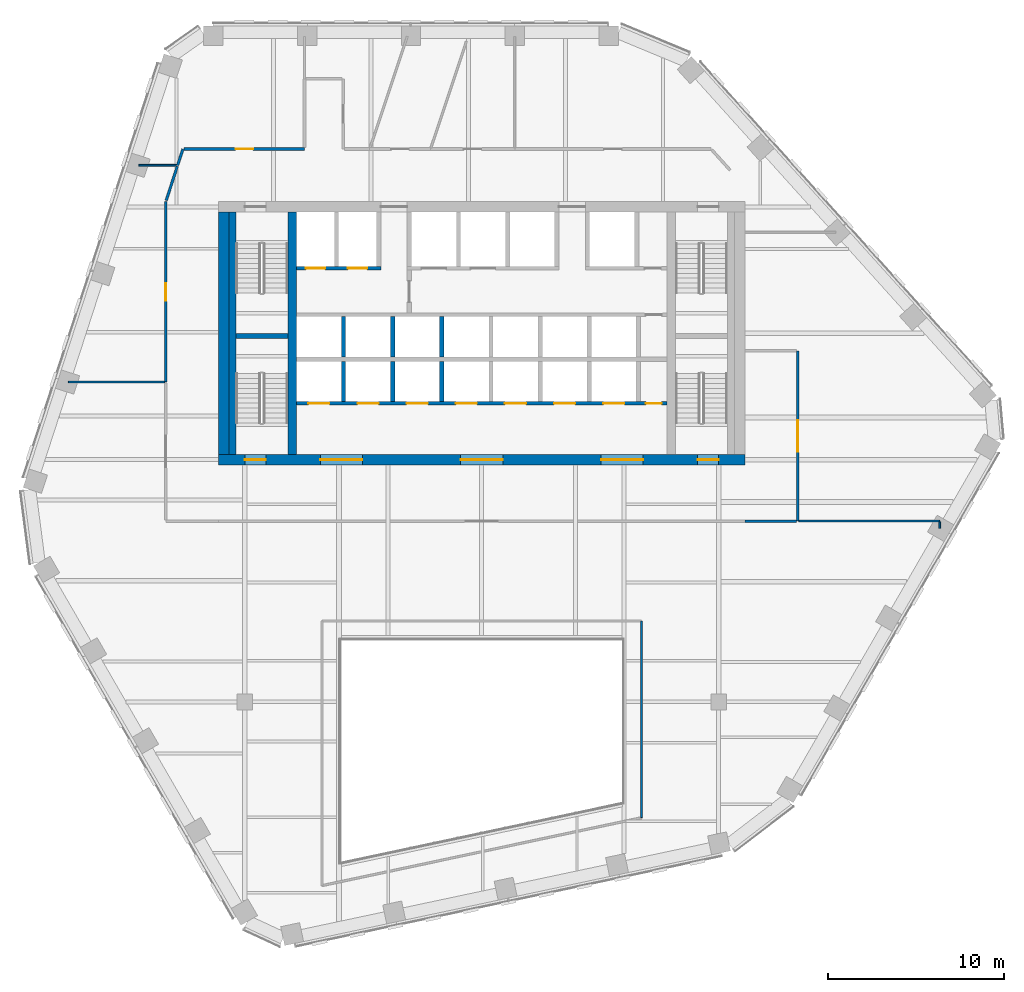
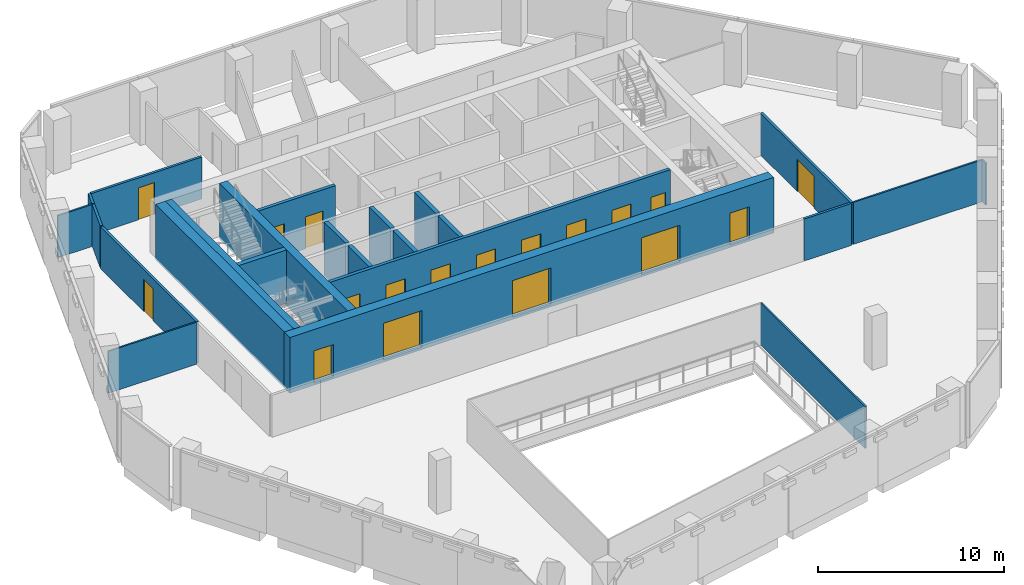
# One storey, part 9 of 16: 24 walls, 18 doors, 18 openings.
"""IFC4 building model written with IfcOpenShell, lengths in metres."""

from ifc_helpers import new_model, si_unit, direction, frame, frame_2d, origin, place, context, subcontext, project, spatial, rectangle, extrude, material, layer, layer_set, type_object, element, fill, save


model = new_model("IFC4")

# Units and contexts
model_context = context("Model", 3, precision=1e-05, world=origin(), true_north=direction((0.0, 1.0)))
body_context = subcontext(model_context, "Body", "Model", "MODEL_VIEW")
ifc_project = project(units=[si_unit("LENGTHUNIT", "METRE"), si_unit("AREAUNIT", "SQUARE_METRE"), si_unit("VOLUMEUNIT", "CUBIC_METRE"), si_unit("PLANEANGLEUNIT", "RADIAN"), si_unit("MASSUNIT", "GRAM", prefix="KILO")], contexts=[model_context])

# Site, building, storey
site_placement = place(None, origin())
site = spatial("IfcSite", under=ifc_project, at=site_placement, CompositionType="ELEMENT")
building_placement = place(site_placement, origin())
building = spatial("IfcBuilding", under=site, at=building_placement, Name="Isthmus Gate Tower", CompositionType="ELEMENT")
storey_placement = place(building_placement, frame((0.0, 0.0, 216.300048828125)))
storey = spatial("IfcBuildingStorey", under=building, at=storey_placement, Name="L54", CompositionType="ELEMENT", Elevation=216.300048828125)

# Wall
ifc_material_1 = material(Name="Fire-rated laminated glass in steel frame", Category="steel")
ifc_layer_1 = layer(ifc_material_1, 0.10009765625)
ifc_layer_set_1 = layer_set([ifc_layer_1], Name="ATRIUM SCREEN GLAZED WALL 100 120 MIN")
wall_type_1 = type_object("IfcWallType", Name="ATRIUM SCREEN GLAZED WALL 100 120 MIN", PredefinedType="PARTITIONING", material=ifc_layer_set_1)
wall_1_placement = place(storey_placement, frame((9.10009765625, -8.89990234375, 0.0), z_axis=(0.0, 0.0, 1.0), x_axis=(0.0, -1.0, 0.0)))
element("IfcWall", 1, at=wall_1_placement, inside=storey, type_object=wall_type_1, Name="L54 atrium screen", PredefinedType="PARTITIONING", context=body_context, shape_type="SweptSolid", body=[
    extrude(rectangle(XDim=11.200927734375, YDim=0.10009765625, at=frame_2d((5.6005859375, 0.0))), origin(), (0.0, 0.0, 1.0), 2.750732421875),
])

# Wall, opening, door
ifc_material_2 = material(Name="Gypsum board on steel studs, fire-rated", Category="steel")
ifc_layer_2 = layer(ifc_material_2, 0.14990234375)
ifc_layer_set_2 = layer_set([ifc_layer_2], Name="CORRIDOR WALL 150 60 MIN")
wall_type_2 = type_object("IfcWallType", Name="CORRIDOR WALL 150 60 MIN", PredefinedType="PARTITIONING", material=ifc_layer_set_2)
wall_2_placement = place(storey_placement, frame((18.0, 6.5, 0.0), z_axis=(0.0, 0.0, 1.0), x_axis=(0.0, -1.0, 0.0)))
wall_2 = element("IfcWall", 2, at=wall_2_placement, inside=storey, type_object=wall_type_2, Name="L54 Corridor Wall 150 60 Min", PredefinedType="PARTITIONING", context=body_context, shape_type="SweptSolid", body=[
    extrude(rectangle(XDim=9.699951171875, YDim=0.14990234375, at=frame_2d((4.85009765625, 0.0))), origin(), (0.0, 0.0, 1.0), 2.750732421875),
])
opening_1_placement = place(wall_2_placement, frame((3.949951171875, 0.0, 0.0)))
opening_1 = element("IfcOpeningElement", 3, at=opening_1_placement, cuts=wall_2, Name="Opening DT-T5A-04", PredefinedType="OPENING", context=body_context, shape_type="SweptSolid", body=[
    extrude(rectangle(XDim=1.800048828125, YDim=2.10009765625, at=frame_2d((0.89990234375, 1.050048828125))), frame((0.0, 0.0849609375, 0.0), z_axis=(0.0, -1.0, 0.0), x_axis=(1.0, 0.0, 0.0)), (0.0, 0.0, 1.0), 0.169921875),
])
ifc_material_3 = material(Name="Solid core timber door leaf, fire-rated", Category="wood")
door_type_1 = type_object("IfcDoorType", Name="FIRE DOOR ROOM 1800 X 2100 60 MIN", OperationType="DOUBLE_DOOR_DOUBLE_SWING", PredefinedType="DOOR", material=ifc_material_3)
door_1_placement = place(opening_1_placement, origin())
door_1 = element("IfcDoor", 4, at=door_1_placement, inside=storey, type_object=door_type_1, Name="L54 room door", OperationType="DOUBLE_DOOR_DOUBLE_SWING", OverallHeight=2.10009765625, OverallWidth=1.800048828125, PredefinedType="DOOR", context=body_context, shape_type="SweptSolid", body=[
    extrude(rectangle(XDim=1.800048828125, YDim=2.10009765625, at=frame_2d((0.89990234375, 1.050048828125))), frame((0.0, 0.02490234375, 0.0), z_axis=(0.0, -1.0, 0.0), x_axis=(1.0, 0.0, 0.0)), (0.0, 0.0, 1.0), 0.050048828125),
])
fill(opening_1, door_1)

# Walls
wall_3_placement = place(storey_placement, frame((17.925048828125, -3.199951171875, 0.0), z_axis=(0.0, 0.0, 1.0), x_axis=(-1.0, 0.0, 0.0)))
element("IfcWall", 5, at=wall_3_placement, inside=storey, type_object=wall_type_2, Name="L54 Corridor Wall 150 60 Min", PredefinedType="PARTITIONING", context=body_context, shape_type="SweptSolid", body=[
    extrude(rectangle(XDim=2.925048828125, YDim=0.14990234375, at=frame_2d((1.46240234375, 0.0))), origin(), (0.0, 0.0, 1.0), 2.750732421875),
])
wall_4_placement = place(storey_placement, frame((-17.326904296875, 17.071044921875, 0.0), z_axis=(0.0, 0.0, 1.0), x_axis=(0.309170843074, 0.951006514064, 0.0)))
element("IfcWall", 6, at=wall_4_placement, inside=storey, type_object=wall_type_2, Name="L54 Corridor Wall 150 60 Min", PredefinedType="PARTITIONING", context=body_context, shape_type="SweptSolid", body=[
    extrude(rectangle(XDim=0.976806640625, YDim=0.14990234375, at=frame_2d((0.48828125, 0.0))), origin(), (0.0, 0.0, 1.0), 2.750732421875),
])

# Wall, opening, door
wall_5_placement = place(storey_placement, frame((-16.949951171875, 18.0, 0.0), z_axis=(0.0, 0.0, 1.0), x_axis=(1.0, 0.0, 0.0)))
wall_5 = element("IfcWall", 7, at=wall_5_placement, inside=storey, type_object=wall_type_2, Name="L54 Corridor Wall 150 60 Min", PredefinedType="PARTITIONING", context=body_context, shape_type="SweptSolid", body=[
    extrude(rectangle(XDim=6.849853515625, YDim=0.14990234375, at=frame_2d((3.4248046875, 0.0))), origin(), (0.0, 0.0, 1.0), 2.750732421875),
])
opening_2_placement = place(wall_5_placement, frame((2.925048828125, 0.0, 0.0)))
opening_2 = element("IfcOpeningElement", 8, at=opening_2_placement, cuts=wall_5, Name="Opening DT-T5A-01", PredefinedType="OPENING", context=body_context, shape_type="SweptSolid", body=[
    extrude(rectangle(XDim=1.0, YDim=2.10009765625, at=frame_2d((0.5, 1.050048828125))), frame((0.0, 0.0849609375, 0.0), z_axis=(0.0, -1.0, 0.0), x_axis=(1.0, 0.0, 0.0)), (0.0, 0.0, 1.0), 0.169921875),
])
ifc_material_4 = material(Name="Solid core timber door leaf, fire-rated", Category="wood")
door_type_2 = type_object("IfcDoorType", Name="FIRE DOOR ROOM 1000 X 2100 60 MIN", OperationType="SINGLE_SWING_LEFT", PredefinedType="DOOR", material=ifc_material_4)
door_2_placement = place(opening_2_placement, origin())
door_2 = element("IfcDoor", 9, at=door_2_placement, inside=storey, type_object=door_type_2, Name="L54 room door", OperationType="SINGLE_SWING_RIGHT", OverallHeight=2.10009765625, OverallWidth=1.0, PredefinedType="DOOR", context=body_context, shape_type="SweptSolid", body=[
    extrude(rectangle(XDim=1.0, YDim=2.10009765625, at=frame_2d((0.5, 1.050048828125))), frame((0.0, 0.02490234375, 0.0), z_axis=(0.0, -1.0, 0.0), x_axis=(1.0, 0.0, 0.0)), (0.0, 0.0, 1.0), 0.050048828125),
])
fill(opening_2, door_2)

wall_6_placement = place(storey_placement, frame((-18.0, 4.722900390625, 0.0), z_axis=(0.0, 0.0, 1.0), x_axis=(0.0, 1.0, 0.0)))
wall_6 = element("IfcWall", 10, at=wall_6_placement, inside=storey, type_object=wall_type_2, Name="L54 Corridor Wall 150 60 Min", PredefinedType="PARTITIONING", context=body_context, shape_type="SweptSolid", body=[
    extrude(rectangle(XDim=10.275146484375, YDim=0.14990234375, at=frame_2d((5.1376953125, 0.0))), origin(), (0.0, 0.0, 1.0), 2.750732421875),
])
opening_3_placement = place(wall_6_placement, frame((4.637451171875, 0.0, 0.0)))
opening_3 = element("IfcOpeningElement", 11, at=opening_3_placement, cuts=wall_6, Name="Opening DT-T5A-03", PredefinedType="OPENING", context=body_context, shape_type="SweptSolid", body=[
    extrude(rectangle(XDim=1.0, YDim=2.10009765625, at=frame_2d((0.5, 1.050048828125))), frame((0.0, 0.0849609375, 0.0), z_axis=(0.0, -1.0, 0.0), x_axis=(1.0, 0.0, 0.0)), (0.0, 0.0, 1.0), 0.169921875),
])
door_3_placement = place(opening_3_placement, origin())
door_3 = element("IfcDoor", 12, at=door_3_placement, inside=storey, type_object=door_type_2, Name="L54 room door", OperationType="SINGLE_SWING_RIGHT", OverallHeight=2.10009765625, OverallWidth=1.0, PredefinedType="DOOR", context=body_context, shape_type="SweptSolid", body=[
    extrude(rectangle(XDim=1.0, YDim=2.10009765625, at=frame_2d((0.5, 1.050048828125))), frame((0.0, 0.02490234375, 0.0), z_axis=(0.0, -1.0, 0.0), x_axis=(1.0, 0.0, 0.0)), (0.0, 0.0, 1.0), 0.050048828125),
])
fill(opening_3, door_3)

# Walls
wall_7_placement = place(storey_placement, frame((-17.976806640625, 15.0693359375, 0.0), z_axis=(0.0, 0.0, 1.0), x_axis=(0.308838863498, 0.951114376084, 0.0)))
element("IfcWall", 13, at=wall_7_placement, inside=storey, type_object=wall_type_2, Name="L54 Corridor Wall 150 60 Min", PredefinedType="PARTITIONING", context=body_context, shape_type="SweptSolid", body=[
    extrude(rectangle(XDim=2.054443359375, YDim=0.14990234375, at=frame_2d((1.02734375, 0.0))), origin(), (0.0, 0.0, 1.0), 2.750732421875),
])
ifc_material_5 = material(Name="Concrete f'c 50 MPa", Category="concrete")
ifc_layer_3 = layer(ifc_material_5, 0.5)
ifc_layer_set_3 = layer_set([ifc_layer_3], Name="RC CORE SPINE WALL 500 F'C 50")
wall_type_3 = type_object("IfcWallType", Name="RC CORE SPINE WALL 500 F'C 50", PredefinedType="SOLIDWALL", material=ifc_layer_set_3)
wall_8_placement = place(storey_placement, frame((-10.800048828125, 0.60009765625, -0.150146484375), z_axis=(0.0, 0.0, 1.0), x_axis=(0.0, 1.0, 0.0)))
element("IfcWall", 14, at=wall_8_placement, inside=storey, type_object=wall_type_3, Name="str-corewall-L54-SPW", PredefinedType="SOLIDWALL", context=body_context, shape_type="SweptSolid", body=[
    extrude(rectangle(XDim=13.7998046875, YDim=0.5, at=frame_2d((6.89990234375, 0.0))), origin(), (0.0, 0.0, 1.0), 3.650146484375),
])

# Wall, openings, doors
ifc_material_6 = material(Name="Concrete f'c 50 MPa", Category="concrete")
ifc_layer_4 = layer(ifc_material_6, 0.60009765625)
ifc_layer_set_4 = layer_set([ifc_layer_4], Name="RC CORE WALL 600 F'C 50")
wall_type_4 = type_object("IfcWallType", Name="RC CORE WALL 600 F'C 50", PredefinedType="SOLIDWALL", material=ifc_layer_set_4)
wall_9_placement = place(storey_placement, frame((-15.0, 0.300048828125, -0.150146484375), z_axis=(0.0, 0.0, 1.0), x_axis=(1.0, 0.0, 0.0)))
wall_9 = element("IfcWall", 15, at=wall_9_placement, inside=storey, type_object=wall_type_4, Name="str-corewall-L54-S", PredefinedType="SOLIDWALL", context=body_context, shape_type="SweptSolid", body=[
    extrude(rectangle(XDim=30.0, YDim=0.60009765625, at=frame_2d((15.0, 0.0))), origin(), (0.0, 0.0, 1.0), 3.650146484375),
])
opening_4_placement = place(wall_9_placement, frame((5.800048828125, 0.0, 0.14990234375)))
opening_4 = element("IfcOpeningElement", 16, at=opening_4_placement, cuts=wall_9, Name="Opening DC-A16-05", PredefinedType="OPENING", context=body_context, shape_type="SweptSolid", body=[
    extrude(rectangle(XDim=2.39990234375, YDim=2.39990234375, at=frame_2d((1.199951171875, 1.199951171875))), frame((0.0, 0.31005859375, 0.0), z_axis=(0.0, -1.0, 0.0), x_axis=(1.0, 0.0, 0.0)), (0.0, 0.0, 1.0), 0.6201171875),
])
opening_5_placement = place(wall_9_placement, frame((13.800048828125, 0.0, 0.14990234375)))
opening_5 = element("IfcOpeningElement", 17, at=opening_5_placement, cuts=wall_9, Name="Opening DC-A16-06", PredefinedType="OPENING", context=body_context, shape_type="SweptSolid", body=[
    extrude(rectangle(XDim=2.39990234375, YDim=2.39990234375, at=frame_2d((1.199951171875, 1.199951171875))), frame((0.0, 0.31005859375, 0.0), z_axis=(0.0, -1.0, 0.0), x_axis=(1.0, 0.0, 0.0)), (0.0, 0.0, 1.0), 0.6201171875),
])
opening_6_placement = place(wall_9_placement, frame((21.800048828125, 0.0, 0.14990234375)))
opening_6 = element("IfcOpeningElement", 18, at=opening_6_placement, cuts=wall_9, Name="Opening DC-A16-07", PredefinedType="OPENING", context=body_context, shape_type="SweptSolid", body=[
    extrude(rectangle(XDim=2.39990234375, YDim=2.39990234375, at=frame_2d((1.199951171875, 1.199951171875))), frame((0.0, 0.31005859375, 0.0), z_axis=(0.0, -1.0, 0.0), x_axis=(1.0, 0.0, 0.0)), (0.0, 0.0, 1.0), 0.6201171875),
])
opening_7_placement = place(wall_9_placement, frame((1.5, 0.0, 0.14990234375)))
opening_7 = element("IfcOpeningElement", 19, at=opening_7_placement, cuts=wall_9, Name="Opening DC-A16-12", PredefinedType="OPENING", context=body_context, shape_type="SweptSolid", body=[
    extrude(rectangle(XDim=1.199951171875, YDim=2.10009765625, at=frame_2d((0.60009765625, 1.050048828125))), frame((0.0, 0.31005859375, 0.0), z_axis=(0.0, -1.0, 0.0), x_axis=(1.0, 0.0, 0.0)), (0.0, 0.0, 1.0), 0.6201171875),
])
opening_8_placement = place(wall_9_placement, frame((27.300048828125, 0.0, 0.14990234375)))
opening_8 = element("IfcOpeningElement", 20, at=opening_8_placement, cuts=wall_9, Name="Opening DC-A16-13", PredefinedType="OPENING", context=body_context, shape_type="SweptSolid", body=[
    extrude(rectangle(XDim=1.199951171875, YDim=2.10009765625, at=frame_2d((0.60009765625, 1.050048828125))), frame((0.0, 0.31005859375, 0.0), z_axis=(0.0, -1.0, 0.0), x_axis=(1.0, 0.0, 0.0)), (0.0, 0.0, 1.0), 0.6201171875),
])
ifc_material_7 = material(Name="Laminated safety glass in steel frame, fire-rated", Category="steel")
door_type_3 = type_object("IfcDoorType", Name="LOBBY ENTRANCE FIRE DOOR 2400 X 2400 60 MIN", OperationType="DOUBLE_DOOR_DOUBLE_SWING", PredefinedType="DOOR", material=ifc_material_7)
door_4_placement = place(opening_4_placement, origin())
door_4 = element("IfcDoor", 21, at=door_4_placement, inside=storey, type_object=door_type_3, Name="Lobby Entrance PS-W", OperationType="DOUBLE_DOOR_DOUBLE_SWING", OverallHeight=2.39990234375, OverallWidth=2.39990234375, PredefinedType="DOOR", context=body_context, shape_type="SweptSolid", body=[
    extrude(rectangle(XDim=2.39990234375, YDim=2.39990234375, at=frame_2d((1.199951171875, 1.199951171875))), frame((0.0, 0.02490234375, 0.0), z_axis=(0.0, -1.0, 0.0), x_axis=(1.0, 0.0, 0.0)), (0.0, 0.0, 1.0), 0.050048828125),
])
fill(opening_4, door_4)
door_5_placement = place(opening_5_placement, origin())
door_5 = element("IfcDoor", 22, at=door_5_placement, inside=storey, type_object=door_type_3, Name="Lobby Entrance PS-C", OperationType="DOUBLE_DOOR_DOUBLE_SWING", OverallHeight=2.39990234375, OverallWidth=2.39990234375, PredefinedType="DOOR", context=body_context, shape_type="SweptSolid", body=[
    extrude(rectangle(XDim=2.39990234375, YDim=2.39990234375, at=frame_2d((1.199951171875, 1.199951171875))), frame((0.0, 0.02490234375, 0.0), z_axis=(0.0, -1.0, 0.0), x_axis=(1.0, 0.0, 0.0)), (0.0, 0.0, 1.0), 0.050048828125),
])
fill(opening_5, door_5)
door_6_placement = place(opening_6_placement, origin())
door_6 = element("IfcDoor", 23, at=door_6_placement, inside=storey, type_object=door_type_3, Name="Lobby Entrance PS-E", OperationType="DOUBLE_DOOR_DOUBLE_SWING", OverallHeight=2.39990234375, OverallWidth=2.39990234375, PredefinedType="DOOR", context=body_context, shape_type="SweptSolid", body=[
    extrude(rectangle(XDim=2.39990234375, YDim=2.39990234375, at=frame_2d((1.199951171875, 1.199951171875))), frame((0.0, 0.02490234375, 0.0), z_axis=(0.0, -1.0, 0.0), x_axis=(1.0, 0.0, 0.0)), (0.0, 0.0, 1.0), 0.050048828125),
])
fill(opening_6, door_6)
ifc_material_8 = material(Name="Steel door leaf, fire-rated", Category="steel")
door_type_4 = type_object("IfcDoorType", Name="STAIR FIRE DOOR 1200 X 2100 90 MIN", OperationType="SINGLE_SWING_LEFT", PredefinedType="DOOR", material=ifc_material_8)
door_7_placement = place(opening_7_placement, origin())
door_7 = element("IfcDoor", 24, at=door_7_placement, inside=storey, type_object=door_type_4, Name="Exit Stair 7 Door", OperationType="SINGLE_SWING_LEFT", OverallHeight=2.10009765625, OverallWidth=1.199951171875, PredefinedType="DOOR", context=body_context, shape_type="SweptSolid", body=[
    extrude(rectangle(XDim=1.199951171875, YDim=2.10009765625, at=frame_2d((0.60009765625, 1.050048828125))), frame((0.0, 0.02490234375, 0.0), z_axis=(0.0, -1.0, 0.0), x_axis=(1.0, 0.0, 0.0)), (0.0, 0.0, 1.0), 0.050048828125),
])
fill(opening_7, door_7)
door_8_placement = place(opening_8_placement, origin())
door_8 = element("IfcDoor", 25, at=door_8_placement, inside=storey, type_object=door_type_4, Name="Exit Stair 8 Door", OperationType="SINGLE_SWING_RIGHT", OverallHeight=2.10009765625, OverallWidth=1.199951171875, PredefinedType="DOOR", context=body_context, shape_type="SweptSolid", body=[
    extrude(rectangle(XDim=1.199951171875, YDim=2.10009765625, at=frame_2d((0.60009765625, 1.050048828125))), frame((0.0, 0.02490234375, 0.0), z_axis=(0.0, -1.0, 0.0), x_axis=(1.0, 0.0, 0.0)), (0.0, 0.0, 1.0), 0.050048828125),
])
fill(opening_8, door_8)

# Walls
wall_10_placement = place(storey_placement, frame((-14.699951171875, 0.60009765625, -0.150146484375), z_axis=(0.0, 0.0, 1.0), x_axis=(0.0, 1.0, 0.0)))
element("IfcWall", 26, at=wall_10_placement, inside=storey, type_object=wall_type_4, Name="str-corewall-L54-W", PredefinedType="SOLIDWALL", context=body_context, shape_type="SweptSolid", body=[
    extrude(rectangle(XDim=13.7998046875, YDim=0.60009765625, at=frame_2d((6.89990234375, 0.0))), origin(), (0.0, 0.0, 1.0), 3.650146484375),
])
ifc_material_9 = material(Name="Gypsum board on steel studs, fire-rated", Category="steel")
ifc_layer_5 = layer(ifc_material_9, 0.10009765625)
ifc_layer_set_5 = layer_set([ifc_layer_5], Name="ROOM PARTITION 100 30 MIN")
wall_type_5 = type_object("IfcWallType", Name="ROOM PARTITION 100 30 MIN", PredefinedType="PARTITIONING", material=ifc_layer_set_5)
wall_11_placement = place(storey_placement, frame((-19.534912109375, 17.071044921875, 0.0), z_axis=(0.0, 0.0, 1.0), x_axis=(1.0, 0.0, 0.0)))
element("IfcWall", 27, at=wall_11_placement, inside=storey, type_object=wall_type_5, Name="L54 Room Partition 100 30 Min", PredefinedType="PARTITIONING", context=body_context, shape_type="SweptSolid", body=[
    extrude(rectangle(XDim=2.1328125, YDim=0.10009765625, at=frame_2d((1.06640625, 0.0))), origin(), (0.0, 0.0, 1.0), 2.750732421875),
])
wall_12_placement = place(storey_placement, frame((-23.547119140625, 4.722900390625, 0.0), z_axis=(0.0, 0.0, 1.0), x_axis=(1.0, 0.0, 0.0)))
element("IfcWall", 28, at=wall_12_placement, inside=storey, type_object=wall_type_5, Name="L54 Room Partition 100 30 Min", PredefinedType="PARTITIONING", context=body_context, shape_type="SweptSolid", body=[
    extrude(rectangle(XDim=5.47216796875, YDim=0.10009765625, at=frame_2d((2.736083984375, 0.0))), origin(), (0.0, 0.0, 1.0), 2.750732421875),
])
wall_13_placement = place(storey_placement, frame((18.075927734375, -3.197998046875, 0.0), z_axis=(0.0, 0.0, 1.0), x_axis=(1.0, 0.0, 0.0)))
element("IfcWall", 29, at=wall_13_placement, inside=storey, type_object=wall_type_5, Name="L54 Room Partition 100 30 Min", PredefinedType="PARTITIONING", context=body_context, shape_type="SweptSolid", body=[
    extrude(rectangle(XDim=8.01318359375, YDim=0.10009765625, at=frame_2d((4.006591796875, 0.0))), origin(), (0.0, 0.0, 1.0), 2.750732421875),
])
wall_14_placement = place(storey_placement, frame((26.089111328125, -3.613037109375, 0.0), z_axis=(0.0, 0.0, 1.0), x_axis=(0.0, 1.0, 0.0)))
element("IfcWall", 30, at=wall_14_placement, inside=storey, type_object=wall_type_5, Name="L54 Room Partition 100 30 Min", PredefinedType="PARTITIONING", context=body_context, shape_type="SweptSolid", body=[
    extrude(rectangle(XDim=0.364990234375, YDim=0.10009765625, at=frame_2d((0.1826171875, 0.0))), origin(), (0.0, 0.0, 1.0), 2.750732421875),
])

# Wall, openings, doors
ifc_material_10 = material(Name="Fire-rated blockwork masonry, 15 MPa", Category="masonry")
ifc_layer_6 = layer(ifc_material_10, 0.199951171875)
ifc_layer_set_6 = layer_set([ifc_layer_6], Name="SHAFT FRONT WALL 200 120 MIN")
wall_type_6 = type_object("IfcWallType", Name="SHAFT FRONT WALL 200 120 MIN", PredefinedType="PARTITIONING", material=ifc_layer_set_6)
wall_15_placement = place(storey_placement, frame((-10.550048828125, 3.5, 0.0), z_axis=(0.0, 0.0, 1.0), x_axis=(1.0, 0.0, 0.0)))
wall_15 = element("IfcWall", 31, at=wall_15_placement, inside=storey, type_object=wall_type_6, Name="L54 SHAFT FRONT WALL 200 120 MIN", PredefinedType="PARTITIONING", context=body_context, shape_type="SweptSolid", body=[
    extrude(rectangle(XDim=21.10009765625, YDim=0.199951171875, at=frame_2d((10.550048828125, 0.0))), origin(), (0.0, 0.0, 1.0), 3.5),
])
opening_9_placement = place(wall_15_placement, frame((0.675048828125, 0.0, 0.0)))
opening_9 = element("IfcOpeningElement", 32, at=opening_9_placement, cuts=wall_15, Name="Opening LD-LC1", PredefinedType="OPENING", context=body_context, shape_type="SweptSolid", body=[
    extrude(rectangle(XDim=1.199951171875, YDim=2.10009765625, at=frame_2d((0.60009765625, 1.050048828125))), frame((0.0, 0.10986328125, 0.0), z_axis=(0.0, -1.0, 0.0), x_axis=(1.0, 0.0, 0.0)), (0.0, 0.0, 1.0), 0.219970703125),
])
opening_10_placement = place(wall_15_placement, frame((3.47509765625, 0.0, 0.0)))
opening_10 = element("IfcOpeningElement", 33, at=opening_10_placement, cuts=wall_15, Name="Opening LD-LC2", PredefinedType="OPENING", context=body_context, shape_type="SweptSolid", body=[
    extrude(rectangle(XDim=1.199951171875, YDim=2.10009765625, at=frame_2d((0.60009765625, 1.050048828125))), frame((0.0, 0.10986328125, 0.0), z_axis=(0.0, -1.0, 0.0), x_axis=(1.0, 0.0, 0.0)), (0.0, 0.0, 1.0), 0.219970703125),
])
opening_11_placement = place(wall_15_placement, frame((6.27490234375, 0.0, 0.0)))
opening_11 = element("IfcOpeningElement", 34, at=opening_11_placement, cuts=wall_15, Name="Opening LD-LC3", PredefinedType="OPENING", context=body_context, shape_type="SweptSolid", body=[
    extrude(rectangle(XDim=1.199951171875, YDim=2.10009765625, at=frame_2d((0.60009765625, 1.050048828125))), frame((0.0, 0.10986328125, 0.0), z_axis=(0.0, -1.0, 0.0), x_axis=(1.0, 0.0, 0.0)), (0.0, 0.0, 1.0), 0.219970703125),
])
opening_12_placement = place(wall_15_placement, frame((9.074951171875, 0.0, 0.0)))
opening_12 = element("IfcOpeningElement", 35, at=opening_12_placement, cuts=wall_15, Name="Opening LD-LC4", PredefinedType="OPENING", context=body_context, shape_type="SweptSolid", body=[
    extrude(rectangle(XDim=1.199951171875, YDim=2.10009765625, at=frame_2d((0.60009765625, 1.050048828125))), frame((0.0, 0.10986328125, 0.0), z_axis=(0.0, -1.0, 0.0), x_axis=(1.0, 0.0, 0.0)), (0.0, 0.0, 1.0), 0.219970703125),
])
opening_13_placement = place(wall_15_placement, frame((11.875, 0.0, 0.0)))
opening_13 = element("IfcOpeningElement", 36, at=opening_13_placement, cuts=wall_15, Name="Opening LD-LC5", PredefinedType="OPENING", context=body_context, shape_type="SweptSolid", body=[
    extrude(rectangle(XDim=1.199951171875, YDim=2.10009765625, at=frame_2d((0.60009765625, 1.050048828125))), frame((0.0, 0.10986328125, 0.0), z_axis=(0.0, -1.0, 0.0), x_axis=(1.0, 0.0, 0.0)), (0.0, 0.0, 1.0), 0.219970703125),
])
opening_14_placement = place(wall_15_placement, frame((14.675048828125, 0.0, 0.0)))
opening_14 = element("IfcOpeningElement", 37, at=opening_14_placement, cuts=wall_15, Name="Opening LD-LC6", PredefinedType="OPENING", context=body_context, shape_type="SweptSolid", body=[
    extrude(rectangle(XDim=1.199951171875, YDim=2.10009765625, at=frame_2d((0.60009765625, 1.050048828125))), frame((0.0, 0.10986328125, 0.0), z_axis=(0.0, -1.0, 0.0), x_axis=(1.0, 0.0, 0.0)), (0.0, 0.0, 1.0), 0.219970703125),
])
opening_15_placement = place(wall_15_placement, frame((17.47509765625, 0.0, 0.0)))
opening_15 = element("IfcOpeningElement", 38, at=opening_15_placement, cuts=wall_15, Name="Opening LD-LC7", PredefinedType="OPENING", context=body_context, shape_type="SweptSolid", body=[
    extrude(rectangle(XDim=1.199951171875, YDim=2.10009765625, at=frame_2d((0.60009765625, 1.050048828125))), frame((0.0, 0.10986328125, 0.0), z_axis=(0.0, -1.0, 0.0), x_axis=(1.0, 0.0, 0.0)), (0.0, 0.0, 1.0), 0.219970703125),
])
opening_16_placement = place(wall_15_placement, frame((19.89990234375, 0.0, 0.0)))
opening_16 = element("IfcOpeningElement", 39, at=opening_16_placement, cuts=wall_15, Name="Opening DC-A16-02", PredefinedType="OPENING", context=body_context, shape_type="SweptSolid", body=[
    extrude(rectangle(XDim=0.89990234375, YDim=2.10009765625, at=frame_2d((0.449951171875, 1.050048828125))), frame((0.0, 0.10986328125, 0.0), z_axis=(0.0, -1.0, 0.0), x_axis=(1.0, 0.0, 0.0)), (0.0, 0.0, 1.0), 0.219970703125),
])
ifc_material_11 = material(Name="Stainless steel sliding leaf", Category="steel")
door_type_5 = type_object("IfcDoorType", Name="LIFT LANDING FIRE DOOR 1200 X 2100 90 MIN", OperationType="DOUBLE_DOOR_SLIDING", PredefinedType="DOOR", material=ifc_material_11)
door_9_placement = place(opening_9_placement, origin())
door_9 = element("IfcDoor", 40, at=door_9_placement, inside=storey, type_object=door_type_5, Name="Lift Landing Door LC1", OperationType="DOUBLE_DOOR_SLIDING", OverallHeight=2.10009765625, OverallWidth=1.199951171875, PredefinedType="DOOR", context=body_context, shape_type="SweptSolid", body=[
    extrude(rectangle(XDim=1.199951171875, YDim=2.10009765625, at=frame_2d((0.60009765625, 1.050048828125))), frame((0.0, 0.02490234375, 0.0), z_axis=(0.0, -1.0, 0.0), x_axis=(1.0, 0.0, 0.0)), (0.0, 0.0, 1.0), 0.050048828125),
])
fill(opening_9, door_9)
door_10_placement = place(opening_10_placement, origin())
door_10 = element("IfcDoor", 41, at=door_10_placement, inside=storey, type_object=door_type_5, Name="Lift Landing Door LC2", OperationType="DOUBLE_DOOR_SLIDING", OverallHeight=2.10009765625, OverallWidth=1.199951171875, PredefinedType="DOOR", context=body_context, shape_type="SweptSolid", body=[
    extrude(rectangle(XDim=1.199951171875, YDim=2.10009765625, at=frame_2d((0.60009765625, 1.050048828125))), frame((0.0, 0.02490234375, 0.0), z_axis=(0.0, -1.0, 0.0), x_axis=(1.0, 0.0, 0.0)), (0.0, 0.0, 1.0), 0.050048828125),
])
fill(opening_10, door_10)
door_11_placement = place(opening_11_placement, origin())
door_11 = element("IfcDoor", 42, at=door_11_placement, inside=storey, type_object=door_type_5, Name="Lift Landing Door LC3", OperationType="DOUBLE_DOOR_SLIDING", OverallHeight=2.10009765625, OverallWidth=1.199951171875, PredefinedType="DOOR", context=body_context, shape_type="SweptSolid", body=[
    extrude(rectangle(XDim=1.199951171875, YDim=2.10009765625, at=frame_2d((0.60009765625, 1.050048828125))), frame((0.0, 0.02490234375, 0.0), z_axis=(0.0, -1.0, 0.0), x_axis=(1.0, 0.0, 0.0)), (0.0, 0.0, 1.0), 0.050048828125),
])
fill(opening_11, door_11)
door_12_placement = place(opening_12_placement, origin())
door_12 = element("IfcDoor", 43, at=door_12_placement, inside=storey, type_object=door_type_5, Name="Lift Landing Door LC4", OperationType="DOUBLE_DOOR_SLIDING", OverallHeight=2.10009765625, OverallWidth=1.199951171875, PredefinedType="DOOR", context=body_context, shape_type="SweptSolid", body=[
    extrude(rectangle(XDim=1.199951171875, YDim=2.10009765625, at=frame_2d((0.60009765625, 1.050048828125))), frame((0.0, 0.02490234375, 0.0), z_axis=(0.0, -1.0, 0.0), x_axis=(1.0, 0.0, 0.0)), (0.0, 0.0, 1.0), 0.050048828125),
])
fill(opening_12, door_12)
door_13_placement = place(opening_13_placement, origin())
door_13 = element("IfcDoor", 44, at=door_13_placement, inside=storey, type_object=door_type_5, Name="Lift Landing Door LC5", OperationType="DOUBLE_DOOR_SLIDING", OverallHeight=2.10009765625, OverallWidth=1.199951171875, PredefinedType="DOOR", context=body_context, shape_type="SweptSolid", body=[
    extrude(rectangle(XDim=1.199951171875, YDim=2.10009765625, at=frame_2d((0.60009765625, 1.050048828125))), frame((0.0, 0.02490234375, 0.0), z_axis=(0.0, -1.0, 0.0), x_axis=(1.0, 0.0, 0.0)), (0.0, 0.0, 1.0), 0.050048828125),
])
fill(opening_13, door_13)
door_14_placement = place(opening_14_placement, origin())
door_14 = element("IfcDoor", 45, at=door_14_placement, inside=storey, type_object=door_type_5, Name="Lift Landing Door LC6", OperationType="DOUBLE_DOOR_SLIDING", OverallHeight=2.10009765625, OverallWidth=1.199951171875, PredefinedType="DOOR", context=body_context, shape_type="SweptSolid", body=[
    extrude(rectangle(XDim=1.199951171875, YDim=2.10009765625, at=frame_2d((0.60009765625, 1.050048828125))), frame((0.0, 0.02490234375, 0.0), z_axis=(0.0, -1.0, 0.0), x_axis=(1.0, 0.0, 0.0)), (0.0, 0.0, 1.0), 0.050048828125),
])
fill(opening_14, door_14)
door_15_placement = place(opening_15_placement, origin())
door_15 = element("IfcDoor", 46, at=door_15_placement, inside=storey, type_object=door_type_5, Name="Lift Landing Door LC7", OperationType="DOUBLE_DOOR_SLIDING", OverallHeight=2.10009765625, OverallWidth=1.199951171875, PredefinedType="DOOR", context=body_context, shape_type="SweptSolid", body=[
    extrude(rectangle(XDim=1.199951171875, YDim=2.10009765625, at=frame_2d((0.60009765625, 1.050048828125))), frame((0.0, 0.02490234375, 0.0), z_axis=(0.0, -1.0, 0.0), x_axis=(1.0, 0.0, 0.0)), (0.0, 0.0, 1.0), 0.050048828125),
])
fill(opening_15, door_15)
ifc_material_12 = material(Name="Steel door leaf, fire-rated", Category="steel")
door_type_6 = type_object("IfcDoorType", Name="RISER FIRE DOOR 900 X 2100 90 MIN", OperationType="SINGLE_SWING_LEFT", PredefinedType="DOOR", material=ifc_material_12)
door_16_placement = place(opening_16_placement, origin())
door_16 = element("IfcDoor", 47, at=door_16_placement, inside=storey, type_object=door_type_6, Name="Riser Door", OperationType="SINGLE_SWING_RIGHT", OverallHeight=2.10009765625, OverallWidth=0.89990234375, PredefinedType="DOOR", context=body_context, shape_type="SweptSolid", body=[
    extrude(rectangle(XDim=0.89990234375, YDim=2.10009765625, at=frame_2d((0.449951171875, 1.050048828125))), frame((0.0, 0.02490234375, 0.0), z_axis=(0.0, -1.0, 0.0), x_axis=(1.0, 0.0, 0.0)), (0.0, 0.0, 1.0), 0.050048828125),
])
fill(opening_16, door_16)

wall_16_placement = place(storey_placement, frame((-10.550048828125, 11.199951171875, 0.0), z_axis=(0.0, 0.0, 1.0), x_axis=(1.0, 0.0, 0.0)))
wall_16 = element("IfcWall", 48, at=wall_16_placement, inside=storey, type_object=wall_type_6, Name="L54 SHAFT FRONT WALL 200 120 MIN", PredefinedType="PARTITIONING", context=body_context, shape_type="SweptSolid", body=[
    extrude(rectangle(XDim=4.800048828125, YDim=0.199951171875, at=frame_2d((2.39990234375, 0.0))), origin(), (0.0, 0.0, 1.0), 3.5),
])
opening_17_placement = place(wall_16_placement, frame((0.52490234375, 0.0, 0.0)))
opening_17 = element("IfcOpeningElement", 49, at=opening_17_placement, cuts=wall_16, Name="Opening LD-LF1", PredefinedType="OPENING", context=body_context, shape_type="SweptSolid", body=[
    extrude(rectangle(XDim=1.10009765625, YDim=2.10009765625, at=frame_2d((0.550048828125, 1.050048828125))), frame((0.0, 0.10986328125, 0.0), z_axis=(0.0, -1.0, 0.0), x_axis=(1.0, 0.0, 0.0)), (0.0, 0.0, 1.0), 0.219970703125),
])
opening_18_placement = place(wall_16_placement, frame((2.925048828125, 0.0, 0.0)))
opening_18 = element("IfcOpeningElement", 50, at=opening_18_placement, cuts=wall_16, Name="Opening LD-LF2", PredefinedType="OPENING", context=body_context, shape_type="SweptSolid", body=[
    extrude(rectangle(XDim=1.10009765625, YDim=2.10009765625, at=frame_2d((0.550048828125, 1.050048828125))), frame((0.0, 0.10986328125, 0.0), z_axis=(0.0, -1.0, 0.0), x_axis=(1.0, 0.0, 0.0)), (0.0, 0.0, 1.0), 0.219970703125),
])
ifc_material_13 = material(Name="Stainless steel sliding leaf", Category="steel")
door_type_7 = type_object("IfcDoorType", Name="LIFT LANDING FIRE DOOR 1100 X 2100 90 MIN", OperationType="DOUBLE_DOOR_SLIDING", PredefinedType="DOOR", material=ifc_material_13)
door_17_placement = place(opening_17_placement, origin())
door_17 = element("IfcDoor", 51, at=door_17_placement, inside=storey, type_object=door_type_7, Name="Lift Landing Door LF1", OperationType="DOUBLE_DOOR_SLIDING", OverallHeight=2.10009765625, OverallWidth=1.10009765625, PredefinedType="DOOR", context=body_context, shape_type="SweptSolid", body=[
    extrude(rectangle(XDim=1.10009765625, YDim=2.10009765625, at=frame_2d((0.550048828125, 1.050048828125))), frame((0.0, 0.02490234375, 0.0), z_axis=(0.0, -1.0, 0.0), x_axis=(1.0, 0.0, 0.0)), (0.0, 0.0, 1.0), 0.050048828125),
])
fill(opening_17, door_17)
door_18_placement = place(opening_18_placement, origin())
door_18 = element("IfcDoor", 52, at=door_18_placement, inside=storey, type_object=door_type_7, Name="Lift Landing Door LF2", OperationType="DOUBLE_DOOR_SLIDING", OverallHeight=2.10009765625, OverallWidth=1.10009765625, PredefinedType="DOOR", context=body_context, shape_type="SweptSolid", body=[
    extrude(rectangle(XDim=1.10009765625, YDim=2.10009765625, at=frame_2d((0.550048828125, 1.050048828125))), frame((0.0, 0.02490234375, 0.0), z_axis=(0.0, -1.0, 0.0), x_axis=(1.0, 0.0, 0.0)), (0.0, 0.0, 1.0), 0.050048828125),
])
fill(opening_18, door_18)

# Walls
ifc_material_14 = material(Name="Fire-rated blockwork masonry, 15 MPa", Category="masonry")
ifc_layer_7 = layer(ifc_material_14, 0.25)
ifc_layer_set_7 = layer_set([ifc_layer_7], Name="SHAFT WALL 250 120 MIN")
wall_type_7 = type_object("IfcWallType", Name="SHAFT WALL 250 120 MIN", PredefinedType="PARTITIONING", material=ifc_layer_set_7)
for number, where, z_axis, x_axis, name in (
    (53, (-7.875, 3.60009765625, 0.0), (0.0, 0.0, 1.0), (0.0, 1.0, 0.0), "L54 SHAFT WALL 250 120 MIN"),
    (54, (-5.074951171875, 3.60009765625, 0.0), (0.0, 0.0, 1.0), (0.0, 1.0, 0.0), "L54 SHAFT WALL 250 120 MIN"),
    (55, (-2.27490234375, 3.60009765625, 0.0), (0.0, 0.0, 1.0), (0.0, 1.0, 0.0), "L54 SHAFT WALL 250 120 MIN"),
):
    element("IfcWall", number, at=place(storey_placement, frame(where, z_axis=z_axis, x_axis=x_axis)), inside=storey, type_object=wall_type_7, Name=name, PredefinedType="PARTITIONING", context=body_context, shape_type="SweptSolid", body=[
        extrude(rectangle(XDim=2.2998046875, YDim=0.25, at=frame_2d((1.14990234375, 0.0))), origin(), (0.0, 0.0, 1.0), 3.5),
    ])
for number, where, z_axis, x_axis, name in (
    (56, (-7.875, 6.14990234375, 0.0), (0.0, 0.0, 1.0), (0.0, 1.0, 0.0), "L54 SHAFT WALL 250 120 MIN"),
    (57, (-5.074951171875, 6.14990234375, 0.0), (0.0, 0.0, 1.0), (0.0, 1.0, 0.0), "L54 SHAFT WALL 250 120 MIN"),
    (58, (-2.27490234375, 6.14990234375, 0.0), (0.0, 0.0, 1.0), (0.0, 1.0, 0.0), "L54 SHAFT WALL 250 120 MIN"),
):
    element("IfcWall", number, at=place(storey_placement, frame(where, z_axis=z_axis, x_axis=x_axis)), inside=storey, type_object=wall_type_7, Name=name, PredefinedType="PARTITIONING", context=body_context, shape_type="SweptSolid", body=[
        extrude(rectangle(XDim=2.300048828125, YDim=0.25, at=frame_2d((1.14990234375, 0.0))), origin(), (0.0, 0.0, 1.0), 3.5),
    ])
ifc_material_15 = material(Name="Concrete f'c 40 MPa", Category="concrete")
ifc_layer_8 = layer(ifc_material_15, 0.300048828125)
ifc_layer_set_8 = layer_set([ifc_layer_8], Name="STAIR ENCLOSURE WALL 300 180 MIN")
wall_type_8 = type_object("IfcWallType", Name="STAIR ENCLOSURE WALL 300 180 MIN", PredefinedType="SOLIDWALL", material=ifc_layer_set_8)
wall_17_placement = place(storey_placement, frame((-14.0, 7.35009765625, 0.0), z_axis=(0.0, 0.0, 1.0), x_axis=(1.0, 0.0, 0.0)))
element("IfcWall", 59, at=wall_17_placement, inside=storey, type_object=wall_type_8, Name="L54 STAIR ENCLOSURE WALL 300 180 MIN", PredefinedType="SOLIDWALL", context=body_context, shape_type="SweptSolid", body=[
    extrude(rectangle(XDim=2.949951171875, YDim=0.300048828125, at=frame_2d((1.47509765625, 0.0))), origin(), (0.0, 0.0, 1.0), 3.5),
])
ifc_material_16 = material(Name="Concrete f'c 40 MPa", Category="concrete")
ifc_layer_9 = layer(ifc_material_16, 0.39990234375)
ifc_layer_set_9 = layer_set([ifc_layer_9], Name="STAIR ENCLOSURE WALL 400 180 MIN")
wall_type_9 = type_object("IfcWallType", Name="STAIR ENCLOSURE WALL 400 180 MIN", PredefinedType="SOLIDWALL", material=ifc_layer_set_9)
wall_18_placement = place(storey_placement, frame((-14.199951171875, 0.60009765625, 0.0), z_axis=(0.0, 0.0, 1.0), x_axis=(0.0, 1.0, 0.0)))
element("IfcWall", 60, at=wall_18_placement, inside=storey, type_object=wall_type_9, Name="L54 STAIR ENCLOSURE WALL 400 180 MIN", PredefinedType="SOLIDWALL", context=body_context, shape_type="SweptSolid", body=[
    extrude(rectangle(XDim=13.7998046875, YDim=0.39990234375, at=frame_2d((6.89990234375, 0.0))), origin(), (0.0, 0.0, 1.0), 3.5),
])

save(model, "model.ifc")
